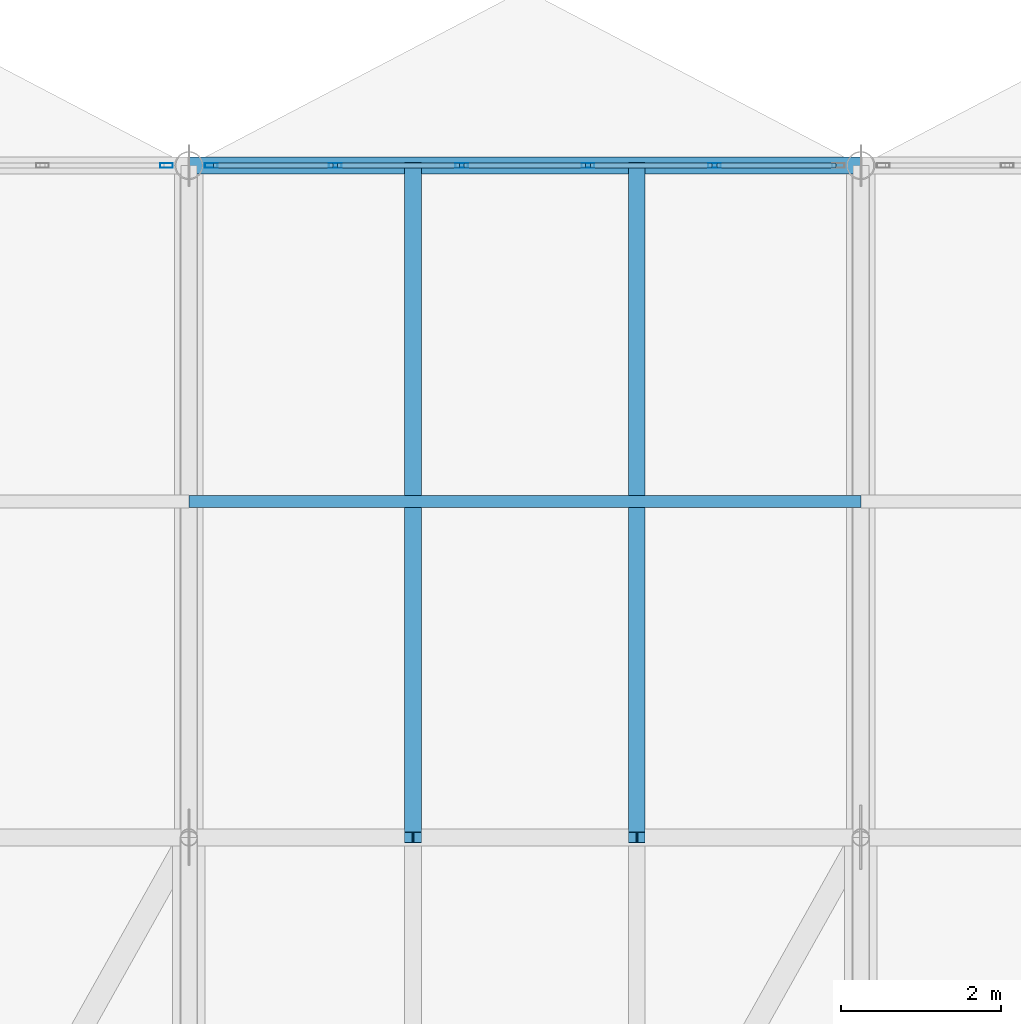
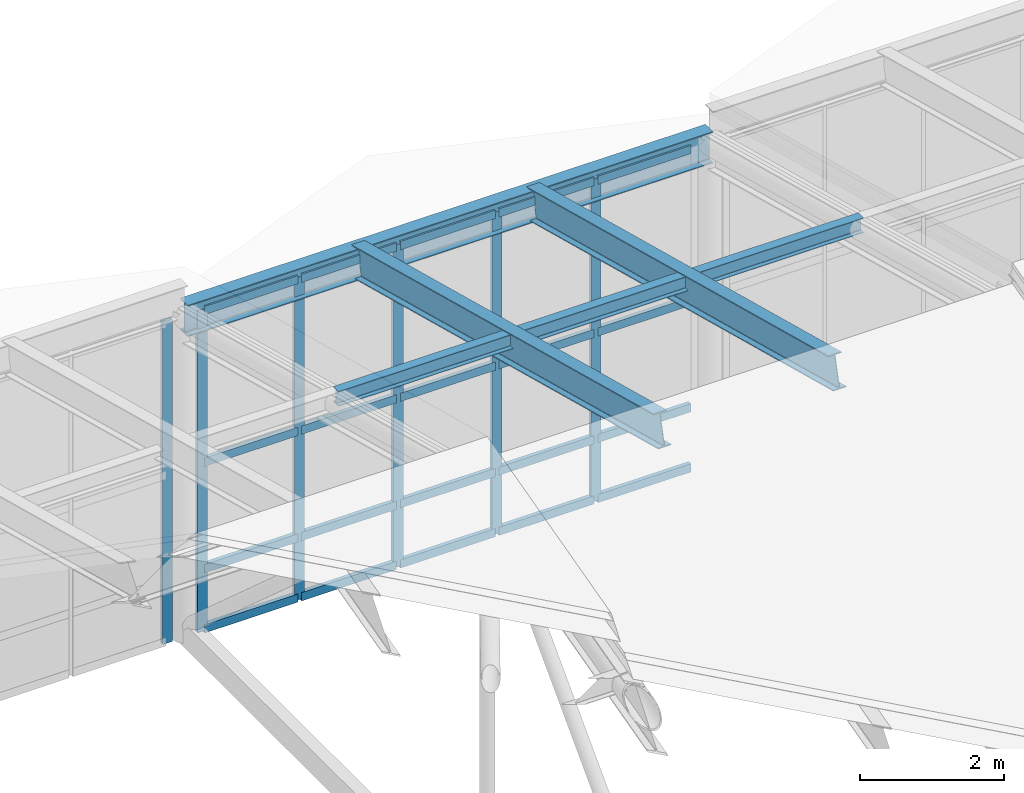
# One storey, part 15 of 43: 27 members, 3 beams, 2 elements without a shape of their own.
"""IFC4 building model written with IfcOpenShell, lengths in metres."""

from ifc_helpers import new_model, si_unit, direction, frame, origin, origin_2d, place, context, subcontext, project, spatial, hollow_rectangle, i_section, extrude, material, layer, layer_set, material_profile, profile_set, type_object, element, aggregate, save


model = new_model("IFC4")

# Units and contexts
model_context = context("Model", 3, precision=1e-05, world=origin(), true_north=direction((0.0, 1.0)))
body_context = subcontext(model_context, "Body", "Model", "MODEL_VIEW")
ifc_project = project(units=[si_unit("LENGTHUNIT", "METRE"), si_unit("AREAUNIT", "SQUARE_METRE"), si_unit("VOLUMEUNIT", "CUBIC_METRE"), si_unit("PLANEANGLEUNIT", "RADIAN"), si_unit("MASSUNIT", "GRAM", prefix="KILO")], contexts=[model_context])

# Site, building, storey
site_placement = place(None, origin())
site = spatial("IfcSite", under=ifc_project, at=site_placement, CompositionType="ELEMENT")
building_placement = place(site_placement, origin())
building = spatial("IfcBuilding", under=site, at=building_placement, Name="Selat Folded Stagehouse", CompositionType="ELEMENT")
storey_placement = place(building_placement, frame((0.0, 0.0, 32.39990234375)))
storey = spatial("IfcBuildingStorey", under=building, at=storey_placement, Name="RF", CompositionType="ELEMENT", Elevation=32.39990234375)

# Beams
ifc_material_1 = material(Name="Steel S355", Category="steel")
ifc_material_profile_1 = material_profile(ifc_material_1, i_section(OverallWidth=0.209228515625, OverallDepth=0.533203125, WebThickness=0.010009765625, FlangeThickness=0.015625, FilletRadius=0.0126953125, at=origin_2d()), Name="UKB 533x210x92")
ifc_profile_set_1 = profile_set([ifc_material_profile_1], Name="Steel S355")
beam_type = type_object("IfcBeamType", Name="BM-GIRD-533x210x92", PredefinedType="BEAM", material=ifc_profile_set_1)
beam_placement = place(storey_placement, frame((16.800048828125, 54.60009765625, 5.388916015625), z_axis=(1.0, 0.0, 0.0), x_axis=(0.0, 1.0, 0.0)))
element("IfcBeam", 1, at=beam_placement, inside=storey, type_object=beam_type, Name="RF bay 2 N roof bearer beam", PredefinedType="BEAM", context=body_context, shape_type="SweptSolid", body=[
    extrude(i_section(OverallWidth=0.209228515625, OverallDepth=0.533203125, WebThickness=0.010009765625, FlangeThickness=0.015625, FilletRadius=0.0126953125, at=origin_2d()), origin(), (0.0, 0.0, 1.0), 8.39990234375),
])
for number, where, z_axis, x_axis, name in (
    (2, (19.60009765625, 46.199951171875, 7.60888671875), (0.0, 0.966807574904, -0.255505602889), (-1.0, 0.0, 0.0), "RF bay 2 W north sub-rafter"),
    (3, (22.39990234375, 46.199951171875, 7.60888671875), (0.0, 0.966807574904, -0.255505602889), (-1.0, 0.0, 0.0), "RF bay 2 E north sub-rafter"),
):
    element("IfcBeam", number, at=place(storey_placement, frame(where, z_axis=z_axis, x_axis=x_axis)), inside=storey, type_object=beam_type, Name=name, PredefinedType="BEAM", context=body_context, shape_type="SweptSolid", body=[
        extrude(i_section(OverallWidth=0.209228515625, OverallDepth=0.533203125, WebThickness=0.010009765625, FlangeThickness=0.015625, FilletRadius=0.0126953125, at=origin_2d()), origin(), (0.0, 0.0, 1.0), 8.6884765625),
    ])

# Curtain wall, member
ifc_material_2 = material(Name="Aluminium 6063-T6", Category="aluminium")
ifc_layer = layer(ifc_material_2, 0.169921875)
ifc_layer_set = layer_set([ifc_layer], Name="Aluminium 6063-T6")
curtain_wall_type = type_object("IfcCurtainWallType", Name="CW-CRN-CLER", PredefinedType="NOTDEFINED", material=ifc_layer_set)
curtain_wall_1_placement = place(storey_placement, origin())
curtain_wall_1 = element("IfcCurtainWall", 4, at=curtain_wall_1_placement, inside=storey, type_object=curtain_wall_type, Name="RF curtain wall CW-RF-N-00", PredefinedType="NOTDEFINED")
ifc_material_profile_2 = material_profile(ifc_material_2, hollow_rectangle(XDim=0.06005859375, YDim=0.159912109375, WallThickness=0.00390625, at=origin_2d()), Name="ALU 160x60x4.0")
ifc_profile_set_2 = profile_set([ifc_material_profile_2], Name="Aluminium 6063-T6")
member_type_1 = type_object("IfcMemberType", Name="CWM-MUL-160x60", PredefinedType="MULLION", material=ifc_profile_set_2)
member_1_placement = place(storey_placement, frame((16.52001953125, 54.60009765625, 0.0), z_axis=(0.0, 0.0, 1.0), x_axis=(0.0, 1.0, 0.0)))
member_1 = element("IfcMember", 5, at=member_1_placement, type_object=member_type_1, Name="CW-09 mullion 6", PredefinedType="MULLION", context=body_context, shape_type="SweptSolid", body=[
    extrude(hollow_rectangle(XDim=0.06005859375, YDim=0.159912109375, WallThickness=0.00390625, at=origin_2d()), origin(), (0.0, 0.0, 1.0), 5.4501953125),
])
aggregate(curtain_wall_1, [member_1])

# Curtain wall, members
curtain_wall_2_placement = place(storey_placement, origin())
curtain_wall_2 = element("IfcCurtainWall", 6, at=curtain_wall_2_placement, inside=storey, type_object=curtain_wall_type, Name="RF curtain wall CW-RF-N-01", PredefinedType="NOTDEFINED")
member_2_placement = place(storey_placement, frame((17.080078125, 54.60009765625, 0.0), z_axis=(0.0, 0.0, 1.0), x_axis=(0.0, 1.0, 0.0)))
member_2 = element("IfcMember", 7, at=member_2_placement, type_object=member_type_1, Name="CW-09 mullion 1", PredefinedType="MULLION", context=body_context, shape_type="SweptSolid", body=[
    extrude(hollow_rectangle(XDim=0.06005859375, YDim=0.159912109375, WallThickness=0.00390625, at=origin_2d()), origin(), (0.0, 0.0, 1.0), 5.4501953125),
])
member_3_placement = place(storey_placement, frame((18.6298828125, 54.60009765625, 0.0), z_axis=(0.0, 0.0, 1.0), x_axis=(0.0, 1.0, 0.0)))
member_3 = element("IfcMember", 8, at=member_3_placement, type_object=member_type_1, Name="CW-09 mullion 2", PredefinedType="MULLION", context=body_context, shape_type="SweptSolid", body=[
    extrude(hollow_rectangle(XDim=0.06005859375, YDim=0.159912109375, WallThickness=0.00390625, at=origin_2d()), origin(), (0.0, 0.0, 1.0), 5.4501953125),
])
member_4_placement = place(storey_placement, frame((20.2099609375, 54.60009765625, 0.0), z_axis=(0.0, 0.0, 1.0), x_axis=(0.0, 1.0, 0.0)))
member_4 = element("IfcMember", 9, at=member_4_placement, type_object=member_type_1, Name="CW-09 mullion 3", PredefinedType="MULLION", context=body_context, shape_type="SweptSolid", body=[
    extrude(hollow_rectangle(XDim=0.06005859375, YDim=0.159912109375, WallThickness=0.00390625, at=origin_2d()), origin(), (0.0, 0.0, 1.0), 5.4501953125),
])
member_5_placement = place(storey_placement, frame((21.7900390625, 54.60009765625, 0.0), z_axis=(0.0, 0.0, 1.0), x_axis=(0.0, 1.0, 0.0)))
member_5 = element("IfcMember", 10, at=member_5_placement, type_object=member_type_1, Name="CW-09 mullion 4", PredefinedType="MULLION", context=body_context, shape_type="SweptSolid", body=[
    extrude(hollow_rectangle(XDim=0.06005859375, YDim=0.159912109375, WallThickness=0.00390625, at=origin_2d()), origin(), (0.0, 0.0, 1.0), 5.4501953125),
])
member_6_placement = place(storey_placement, frame((23.3701171875, 54.60009765625, 0.0), z_axis=(0.0, 0.0, 1.0), x_axis=(0.0, 1.0, 0.0)))
member_6 = element("IfcMember", 11, at=member_6_placement, type_object=member_type_1, Name="CW-09 mullion 5", PredefinedType="MULLION", context=body_context, shape_type="SweptSolid", body=[
    extrude(hollow_rectangle(XDim=0.06005859375, YDim=0.159912109375, WallThickness=0.00390625, at=origin_2d()), origin(), (0.0, 0.0, 1.0), 5.4501953125),
])
ifc_material_profile_3 = material_profile(ifc_material_2, hollow_rectangle(XDim=0.06494140625, YDim=0.139892578125, WallThickness=0.00390625, at=origin_2d()), Name="ALU 140x65x4.0")
ifc_profile_set_3 = profile_set([ifc_material_profile_3], Name="Aluminium 6063-T6")
member_type_2 = type_object("IfcMemberType", Name="CWM-TRN-140x65", PredefinedType="USERDEFINED", material=ifc_profile_set_3)
member_7_placement = place(storey_placement, frame((17.110107421875, 54.60009765625, 0.03271484375), z_axis=(1.0, 0.0, 0.0), x_axis=(0.0, 1.0, 0.0)))
member_7 = element("IfcMember", 12, at=member_7_placement, type_object=member_type_2, Name="CW-09 transom 1.1", ObjectType="TRANSOM", PredefinedType="USERDEFINED", context=body_context, shape_type="SweptSolid", body=[
    extrude(hollow_rectangle(XDim=0.06494140625, YDim=0.139892578125, WallThickness=0.00390625, at=origin_2d()), origin(), (0.0, 0.0, 1.0), 1.489990234375),
])
member_8_placement = place(storey_placement, frame((17.110107421875, 54.60009765625, 1.050048828125), z_axis=(1.0, 0.0, 0.0), x_axis=(0.0, 1.0, 0.0)))
member_8 = element("IfcMember", 13, at=member_8_placement, type_object=member_type_2, Name="CW-09 transom 1.2", ObjectType="TRANSOM", PredefinedType="USERDEFINED", context=body_context, shape_type="SweptSolid", body=[
    extrude(hollow_rectangle(XDim=0.06494140625, YDim=0.139892578125, WallThickness=0.00390625, at=origin_2d()), origin(), (0.0, 0.0, 1.0), 1.489990234375),
])
member_9_placement = place(storey_placement, frame((17.110107421875, 54.60009765625, 2.85009765625), z_axis=(1.0, 0.0, 0.0), x_axis=(0.0, 1.0, 0.0)))
member_9 = element("IfcMember", 14, at=member_9_placement, type_object=member_type_2, Name="CW-09 transom 1.3", ObjectType="TRANSOM", PredefinedType="USERDEFINED", context=body_context, shape_type="SweptSolid", body=[
    extrude(hollow_rectangle(XDim=0.06494140625, YDim=0.139892578125, WallThickness=0.00390625, at=origin_2d()), origin(), (0.0, 0.0, 1.0), 1.489990234375),
])
member_10_placement = place(storey_placement, frame((17.110107421875, 54.60009765625, 5.41748046875), z_axis=(1.0, 0.0, 0.0), x_axis=(0.0, 1.0, 0.0)))
member_10 = element("IfcMember", 15, at=member_10_placement, type_object=member_type_2, Name="CW-09 transom 1.4", ObjectType="TRANSOM", PredefinedType="USERDEFINED", context=body_context, shape_type="SweptSolid", body=[
    extrude(hollow_rectangle(XDim=0.06494140625, YDim=0.139892578125, WallThickness=0.00390625, at=origin_2d()), origin(), (0.0, 0.0, 1.0), 1.489990234375),
])
member_11_placement = place(storey_placement, frame((18.659912109375, 54.60009765625, 0.03271484375), z_axis=(1.0, 0.0, 0.0), x_axis=(0.0, 1.0, 0.0)))
member_11 = element("IfcMember", 16, at=member_11_placement, type_object=member_type_2, Name="CW-09 transom 2.1", ObjectType="TRANSOM", PredefinedType="USERDEFINED", context=body_context, shape_type="SweptSolid", body=[
    extrude(hollow_rectangle(XDim=0.06494140625, YDim=0.139892578125, WallThickness=0.00390625, at=origin_2d()), origin(), (0.0, 0.0, 1.0), 1.52001953125),
])
member_12_placement = place(storey_placement, frame((18.659912109375, 54.60009765625, 1.050048828125), z_axis=(1.0, 0.0, 0.0), x_axis=(0.0, 1.0, 0.0)))
member_12 = element("IfcMember", 17, at=member_12_placement, type_object=member_type_2, Name="CW-09 transom 2.2", ObjectType="TRANSOM", PredefinedType="USERDEFINED", context=body_context, shape_type="SweptSolid", body=[
    extrude(hollow_rectangle(XDim=0.06494140625, YDim=0.139892578125, WallThickness=0.00390625, at=origin_2d()), origin(), (0.0, 0.0, 1.0), 1.52001953125),
])
member_13_placement = place(storey_placement, frame((18.659912109375, 54.60009765625, 2.85009765625), z_axis=(1.0, 0.0, 0.0), x_axis=(0.0, 1.0, 0.0)))
member_13 = element("IfcMember", 18, at=member_13_placement, type_object=member_type_2, Name="CW-09 transom 2.3", ObjectType="TRANSOM", PredefinedType="USERDEFINED", context=body_context, shape_type="SweptSolid", body=[
    extrude(hollow_rectangle(XDim=0.06494140625, YDim=0.139892578125, WallThickness=0.00390625, at=origin_2d()), origin(), (0.0, 0.0, 1.0), 1.52001953125),
])
member_14_placement = place(storey_placement, frame((18.659912109375, 54.60009765625, 5.41748046875), z_axis=(1.0, 0.0, 0.0), x_axis=(0.0, 1.0, 0.0)))
member_14 = element("IfcMember", 19, at=member_14_placement, type_object=member_type_2, Name="CW-09 transom 2.4", ObjectType="TRANSOM", PredefinedType="USERDEFINED", context=body_context, shape_type="SweptSolid", body=[
    extrude(hollow_rectangle(XDim=0.06494140625, YDim=0.139892578125, WallThickness=0.00390625, at=origin_2d()), origin(), (0.0, 0.0, 1.0), 1.52001953125),
])
member_15_placement = place(storey_placement, frame((20.239990234375, 54.60009765625, 0.03271484375), z_axis=(1.0, 0.0, 0.0), x_axis=(0.0, 1.0, 0.0)))
member_15 = element("IfcMember", 20, at=member_15_placement, type_object=member_type_2, Name="CW-09 transom 3.1", ObjectType="TRANSOM", PredefinedType="USERDEFINED", context=body_context, shape_type="SweptSolid", body=[
    extrude(hollow_rectangle(XDim=0.06494140625, YDim=0.139892578125, WallThickness=0.00390625, at=origin_2d()), origin(), (0.0, 0.0, 1.0), 1.52001953125),
])
member_16_placement = place(storey_placement, frame((20.239990234375, 54.60009765625, 1.050048828125), z_axis=(1.0, 0.0, 0.0), x_axis=(0.0, 1.0, 0.0)))
member_16 = element("IfcMember", 21, at=member_16_placement, type_object=member_type_2, Name="CW-09 transom 3.2", ObjectType="TRANSOM", PredefinedType="USERDEFINED", context=body_context, shape_type="SweptSolid", body=[
    extrude(hollow_rectangle(XDim=0.06494140625, YDim=0.139892578125, WallThickness=0.00390625, at=origin_2d()), origin(), (0.0, 0.0, 1.0), 1.52001953125),
])
member_17_placement = place(storey_placement, frame((20.239990234375, 54.60009765625, 2.85009765625), z_axis=(1.0, 0.0, 0.0), x_axis=(0.0, 1.0, 0.0)))
member_17 = element("IfcMember", 22, at=member_17_placement, type_object=member_type_2, Name="CW-09 transom 3.3", ObjectType="TRANSOM", PredefinedType="USERDEFINED", context=body_context, shape_type="SweptSolid", body=[
    extrude(hollow_rectangle(XDim=0.06494140625, YDim=0.139892578125, WallThickness=0.00390625, at=origin_2d()), origin(), (0.0, 0.0, 1.0), 1.52001953125),
])
member_18_placement = place(storey_placement, frame((20.239990234375, 54.60009765625, 5.41748046875), z_axis=(1.0, 0.0, 0.0), x_axis=(0.0, 1.0, 0.0)))
member_18 = element("IfcMember", 23, at=member_18_placement, type_object=member_type_2, Name="CW-09 transom 3.4", ObjectType="TRANSOM", PredefinedType="USERDEFINED", context=body_context, shape_type="SweptSolid", body=[
    extrude(hollow_rectangle(XDim=0.06494140625, YDim=0.139892578125, WallThickness=0.00390625, at=origin_2d()), origin(), (0.0, 0.0, 1.0), 1.52001953125),
])
member_19_placement = place(storey_placement, frame((21.820068359375, 54.60009765625, 0.03271484375), z_axis=(1.0, 0.0, 0.0), x_axis=(0.0, 1.0, 0.0)))
member_19 = element("IfcMember", 24, at=member_19_placement, type_object=member_type_2, Name="CW-09 transom 4.1", ObjectType="TRANSOM", PredefinedType="USERDEFINED", context=body_context, shape_type="SweptSolid", body=[
    extrude(hollow_rectangle(XDim=0.06494140625, YDim=0.139892578125, WallThickness=0.00390625, at=origin_2d()), origin(), (0.0, 0.0, 1.0), 1.52001953125),
])
member_20_placement = place(storey_placement, frame((21.820068359375, 54.60009765625, 1.050048828125), z_axis=(1.0, 0.0, 0.0), x_axis=(0.0, 1.0, 0.0)))
member_20 = element("IfcMember", 25, at=member_20_placement, type_object=member_type_2, Name="CW-09 transom 4.2", ObjectType="TRANSOM", PredefinedType="USERDEFINED", context=body_context, shape_type="SweptSolid", body=[
    extrude(hollow_rectangle(XDim=0.06494140625, YDim=0.139892578125, WallThickness=0.00390625, at=origin_2d()), origin(), (0.0, 0.0, 1.0), 1.52001953125),
])
member_21_placement = place(storey_placement, frame((21.820068359375, 54.60009765625, 2.85009765625), z_axis=(1.0, 0.0, 0.0), x_axis=(0.0, 1.0, 0.0)))
member_21 = element("IfcMember", 26, at=member_21_placement, type_object=member_type_2, Name="CW-09 transom 4.3", ObjectType="TRANSOM", PredefinedType="USERDEFINED", context=body_context, shape_type="SweptSolid", body=[
    extrude(hollow_rectangle(XDim=0.06494140625, YDim=0.139892578125, WallThickness=0.00390625, at=origin_2d()), origin(), (0.0, 0.0, 1.0), 1.52001953125),
])
member_22_placement = place(storey_placement, frame((21.820068359375, 54.60009765625, 5.41748046875), z_axis=(1.0, 0.0, 0.0), x_axis=(0.0, 1.0, 0.0)))
member_22 = element("IfcMember", 27, at=member_22_placement, type_object=member_type_2, Name="CW-09 transom 4.4", ObjectType="TRANSOM", PredefinedType="USERDEFINED", context=body_context, shape_type="SweptSolid", body=[
    extrude(hollow_rectangle(XDim=0.06494140625, YDim=0.139892578125, WallThickness=0.00390625, at=origin_2d()), origin(), (0.0, 0.0, 1.0), 1.52001953125),
])
member_23_placement = place(storey_placement, frame((23.39990234375, 54.60009765625, 0.03271484375), z_axis=(1.0, 0.0, 0.0), x_axis=(0.0, 1.0, 0.0)))
member_23 = element("IfcMember", 28, at=member_23_placement, type_object=member_type_2, Name="CW-09 transom 5.1", ObjectType="TRANSOM", PredefinedType="USERDEFINED", context=body_context, shape_type="SweptSolid", body=[
    extrude(hollow_rectangle(XDim=0.06494140625, YDim=0.139892578125, WallThickness=0.00390625, at=origin_2d()), origin(), (0.0, 0.0, 1.0), 1.489990234375),
])
member_24_placement = place(storey_placement, frame((23.39990234375, 54.60009765625, 1.050048828125), z_axis=(1.0, 0.0, 0.0), x_axis=(0.0, 1.0, 0.0)))
member_24 = element("IfcMember", 29, at=member_24_placement, type_object=member_type_2, Name="CW-09 transom 5.2", ObjectType="TRANSOM", PredefinedType="USERDEFINED", context=body_context, shape_type="SweptSolid", body=[
    extrude(hollow_rectangle(XDim=0.06494140625, YDim=0.139892578125, WallThickness=0.00390625, at=origin_2d()), origin(), (0.0, 0.0, 1.0), 1.489990234375),
])
member_25_placement = place(storey_placement, frame((23.39990234375, 54.60009765625, 2.85009765625), z_axis=(1.0, 0.0, 0.0), x_axis=(0.0, 1.0, 0.0)))
member_25 = element("IfcMember", 30, at=member_25_placement, type_object=member_type_2, Name="CW-09 transom 5.3", ObjectType="TRANSOM", PredefinedType="USERDEFINED", context=body_context, shape_type="SweptSolid", body=[
    extrude(hollow_rectangle(XDim=0.06494140625, YDim=0.139892578125, WallThickness=0.00390625, at=origin_2d()), origin(), (0.0, 0.0, 1.0), 1.489990234375),
])
member_26_placement = place(storey_placement, frame((23.39990234375, 54.60009765625, 5.41748046875), z_axis=(1.0, 0.0, 0.0), x_axis=(0.0, 1.0, 0.0)))
member_26 = element("IfcMember", 31, at=member_26_placement, type_object=member_type_2, Name="CW-09 transom 5.4", ObjectType="TRANSOM", PredefinedType="USERDEFINED", context=body_context, shape_type="SweptSolid", body=[
    extrude(hollow_rectangle(XDim=0.06494140625, YDim=0.139892578125, WallThickness=0.00390625, at=origin_2d()), origin(), (0.0, 0.0, 1.0), 1.489990234375),
])
aggregate(curtain_wall_2, [member_2, member_3, member_4, member_5, member_6, member_7, member_8, member_9, member_10, member_11, member_12, member_13, member_14, member_15, member_16, member_17, member_18, member_19, member_20, member_21, member_22, member_23, member_24, member_25, member_26])

# Member
ifc_material_profile_4 = material_profile(ifc_material_1, i_section(OverallWidth=0.14599609375, OverallDepth=0.25146484375, WebThickness=0.006103515625, FlangeThickness=0.008544921875, FilletRadius=0.007568359375, at=origin_2d()), Name="UKB 254x146x31")
ifc_profile_set_4 = profile_set([ifc_material_profile_4], Name="Steel S355")
member_type_3 = type_object("IfcMemberType", Name="MEM-PURLIN-UKB254", PredefinedType="PURLIN", material=ifc_profile_set_4)
member_27_placement = place(storey_placement, frame((16.800048828125, 50.39990234375, 6.59814453125), z_axis=(1.0, 0.0, 0.0), x_axis=(0.0, 1.0, 0.0)))
element("IfcMember", 32, at=member_27_placement, inside=storey, type_object=member_type_3, Name="Folded-plate roof purlin bay 2.5", PredefinedType="PURLIN", context=body_context, shape_type="SweptSolid", body=[
    extrude(i_section(OverallWidth=0.14599609375, OverallDepth=0.25146484375, WebThickness=0.006103515625, FlangeThickness=0.008544921875, FilletRadius=0.007568359375, at=origin_2d()), origin(), (0.0, 0.0, 1.0), 8.39990234375),
])

save(model, "model.ifc")
